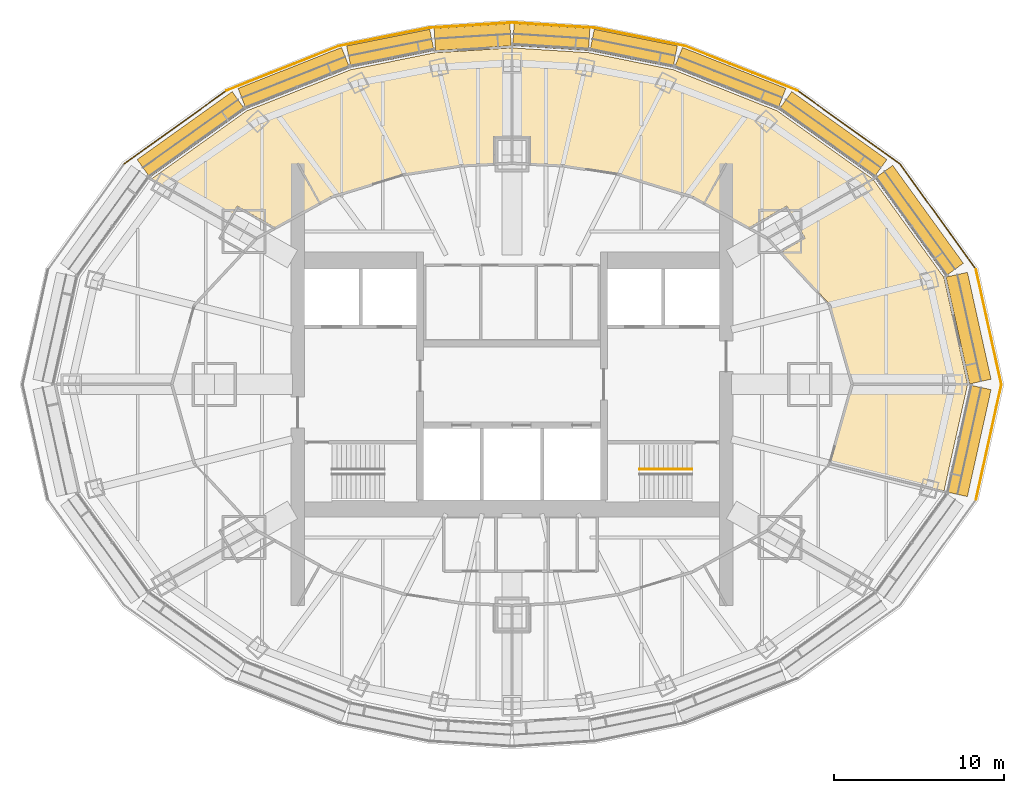
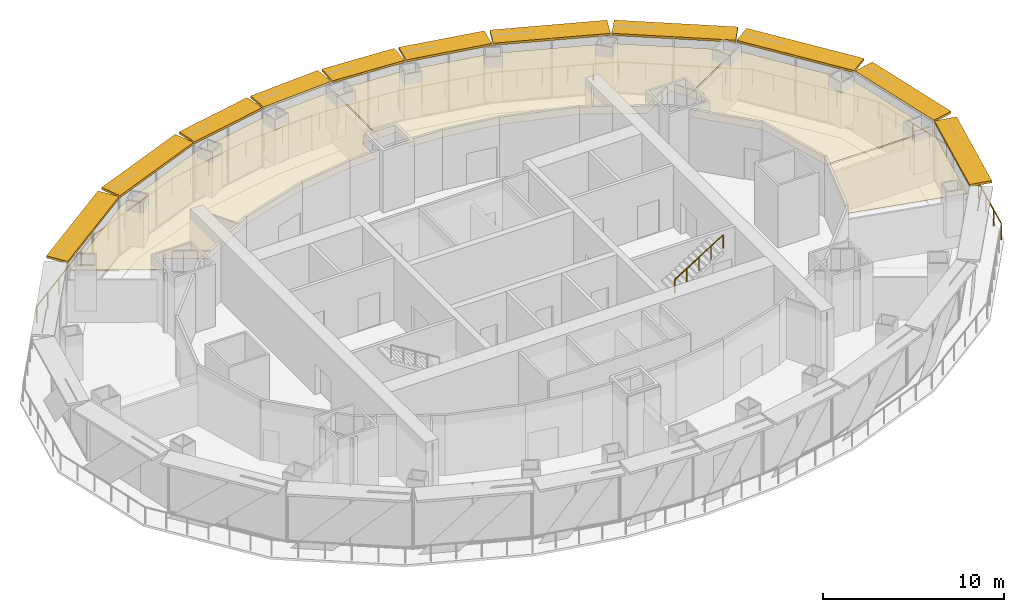
# One storey, part 17 of 17: 12 railings, 11 shading devices, 4 coverings.
"""IFC4 building model written with IfcOpenShell, lengths in metres."""

from ifc_helpers import new_model, si_unit, direction, frame, origin, origin_2d, place, context, subcontext, project, spatial, polyline, rectangle, circle, outline, extrude, material, layer, layer_set, type_object, element, save


model = new_model("IFC4")

# Units and contexts
model_context = context("Model", 3, precision=1e-05, world=origin(), true_north=direction((0.0, 1.0)))
body_context = subcontext(model_context, "Body", "Model", "MODEL_VIEW")
ifc_project = project(units=[si_unit("LENGTHUNIT", "METRE"), si_unit("AREAUNIT", "SQUARE_METRE"), si_unit("VOLUMEUNIT", "CUBIC_METRE"), si_unit("PLANEANGLEUNIT", "RADIAN"), si_unit("MASSUNIT", "GRAM", prefix="KILO")], contexts=[model_context])

# Site, building, storey
site_placement = place(None, origin())
site = spatial("IfcSite", under=ifc_project, at=site_placement, CompositionType="ELEMENT")
building_placement = place(site_placement, origin())
building = spatial("IfcBuilding", under=site, at=building_placement, Name="Lantaw Convention Tower", CompositionType="ELEMENT")
storey_placement = place(building_placement, frame((0.0, 0.0, 199.0)))
storey = spatial("IfcBuildingStorey", under=building, at=storey_placement, Name="L46", CompositionType="ELEMENT", Elevation=199.0)

# Railing
ifc_material_1 = material(Name="Stainless steel", Category="steel")
railing_type_1 = type_object("IfcRailingType", Name="Stair handrail", PredefinedType="HANDRAIL", material=ifc_material_1)
railing_1_placement = place(storey_placement, frame((7.5, -4.97998046875, 2.27490234375)))
element("IfcRailing", 1, at=railing_1_placement, inside=storey, type_object=railing_type_1, Name="Stair handrail S2", PredefinedType="HANDRAIL", context=body_context, shape_type="SweptSolid", body=[
    extrude(circle(Radius=0.02392578125, at=origin_2d()), frame((0.0, 0.0, 0.8759765625), z_axis=(0.847998304005, 0.0, 0.529998940003), x_axis=(0.0, 1.0, 0.0)), (0.0, 0.0, 1.0), 3.632080078125),
    extrude(circle(Radius=0.02099609375, at=origin_2d()), origin(), (0.0, 0.0, 1.0), 0.851806640625),
    extrude(circle(Radius=0.02099609375, at=origin_2d()), frame((0.77001953125, 0.0, 0.481201171875)), (0.0, 0.0, 1.0), 0.851806640625),
    extrude(circle(Radius=0.02099609375, at=origin_2d()), frame((1.5400390625, 0.0, 0.96240234375)), (0.0, 0.0, 1.0), 0.851806640625),
    extrude(circle(Radius=0.02099609375, at=origin_2d()), frame((2.31005859375, 0.0, 1.44384765625)), (0.0, 0.0, 1.0), 0.851806640625),
    extrude(circle(Radius=0.02099609375, at=origin_2d()), frame((3.080078125, 0.0, 1.925048828125)), (0.0, 0.0, 1.0), 0.851806640625),
])

# Coverings
ifc_material_2 = material(Name="Gypsum board on steel suspension grid", Category="steel")
ifc_layer = layer(ifc_material_2, 0.02001953125)
ifc_layer_set = layer_set([ifc_layer], Name="Suspended ceiling")
covering_type = type_object("IfcCoveringType", Name="Suspended ceiling", PredefinedType="CEILING", material=ifc_layer_set)
covering_1_placement = place(storey_placement, frame((0.0, 0.0, 3.449951171875)))
element("IfcCovering", 2, at=covering_1_placement, inside=storey, type_object=covering_type, Name="Open office ceiling", PredefinedType="CEILING", context=body_context, shape_type="SweptSolid", body=[
    extrude(outline(polyline([(18.709228515625, 4.676025390625), (20.0302734375, 0.0400390625), (26.77099609375, 0.0400390625), (25.388916015625, 6.290283203125), (21.241455078125, 12.0380859375), (16.722412109375, 9.4951171875), (17.237060546875, 8.594482421875), (15.81884765625, 7.783935546875), (18.709228515625, 4.676025390625)])), origin(), (0.0, 0.0, 1.0), 0.02001953125),
])
covering_2_placement = place(storey_placement, frame((0.0, 0.0, 3.449951171875)))
element("IfcCovering", 3, at=covering_2_placement, inside=storey, type_object=covering_type, Name="Open office ceiling", PredefinedType="CEILING", context=body_context, shape_type="SweptSolid", body=[
    extrude(outline(polyline([(10.6484375, 11.047607421875), (13.945068359375, 9.22412109375), (16.155517578125, 10.487060546875), (16.682861328125, 9.564453125), (21.178466796875, 12.094482421875), (15.60498046875, 16.076416015625), (9.472900390625, 18.504638671875), (4.523193359375, 19.500244140625), (0.0400390625, 19.781982421875), (0.0400390625, 14.590087890625), (1.090087890625, 14.590087890625), (1.090087890625, 12.9873046875), (2.97216796875, 12.89599609375), (6.296875, 12.3798828125), (10.6484375, 11.047607421875)])), origin(), (0.0, 0.0, 1.0), 0.02001953125),
])
covering_3_placement = place(storey_placement, frame((0.0, 0.0, 3.449951171875)))
element("IfcCovering", 4, at=covering_3_placement, inside=storey, type_object=covering_type, Name="Open office ceiling", PredefinedType="CEILING", context=body_context, shape_type="SweptSolid", body=[
    extrude(outline(polyline([(-2.97216796875, 12.89599609375), (-1.090087890625, 12.9873046875), (-1.090087890625, 14.590087890625), (-0.0400390625, 14.590087890625), (-0.0400390625, 19.781982421875), (-4.523193359375, 19.500244140625), (-9.472900390625, 18.504638671875), (-15.60498046875, 16.076416015625), (-21.178466796875, 12.094482421875), (-16.682861328125, 9.564453125), (-16.155517578125, 10.487060546875), (-13.945068359375, 9.22412109375), (-10.6484375, 11.047607421875), (-6.296875, 12.3798828125), (-2.97216796875, 12.89599609375)])), origin(), (0.0, 0.0, 1.0), 0.02001953125),
])
covering_4_placement = place(storey_placement, frame((0.0, 0.0, 3.449951171875)))
element("IfcCovering", 5, at=covering_4_placement, inside=storey, type_object=covering_type, Name="Meeting room ceiling", PredefinedType="CEILING", context=body_context, shape_type="SweptSolid", body=[
    extrude(outline(polyline([(18.72314453125, -4.626708984375), (25.39599609375, -6.258544921875), (26.77099609375, -0.0400390625), (20.0302734375, -0.0400390625), (18.72314453125, -4.626708984375)])), origin(), (0.0, 0.0, 1.0), 0.02001953125),
])

# Railings
ifc_material_3 = material(Name="Stainless steel posts and laminated glass, pale silver finish", Category="steel")
railing_type_2 = type_object("IfcRailingType", Name="Terrace guard railing 1100", PredefinedType="GUARDRAIL", material=ifc_material_3)
railing_2_placement = place(storey_placement, frame((28.76953125, 0.0, 0.0)))
element("IfcRailing", 6, at=railing_2_placement, inside=storey, type_object=railing_type_2, Name="Terrace guard", PredefinedType="GUARDRAIL", context=body_context, shape_type="SweptSolid", body=[
    extrude(circle(Radius=0.02392578125, at=origin_2d()), frame((0.0, 0.0, 1.076171875), z_axis=(-0.215529841455, 0.976497254191, 0.0), x_axis=(-0.976497254191, -0.215529841455, 0.0)), (0.0, 0.0, 1.0), 6.922119140625),
    extrude(circle(Radius=0.02099609375, at=origin_2d()), origin(), (0.0, 0.0, 1.0), 1.052001953125),
    extrude(circle(Radius=0.02099609375, at=origin_2d()), frame((-0.29833984375, 1.351806640625, 0.0)), (0.0, 0.0, 1.0), 1.052001953125),
    extrude(circle(Radius=0.02099609375, at=origin_2d()), frame((-0.5966796875, 2.703857421875, 0.0)), (0.0, 0.0, 1.0), 1.052001953125),
    extrude(circle(Radius=0.02099609375, at=origin_2d()), frame((-0.895263671875, 4.0556640625, 0.0)), (0.0, 0.0, 1.0), 1.052001953125),
    extrude(circle(Radius=0.02099609375, at=origin_2d()), frame((-1.193603515625, 5.40771484375, 0.0)), (0.0, 0.0, 1.0), 1.052001953125),
    extrude(circle(Radius=0.02099609375, at=origin_2d()), frame((-1.491943359375, 6.759521484375, 0.0)), (0.0, 0.0, 1.0), 1.052001953125),
])
railing_3_placement = place(storey_placement, frame((27.277587890625, 6.759521484375, 0.0)))
element("IfcRailing", 7, at=railing_3_placement, inside=storey, type_object=railing_type_2, Name="Terrace guard", PredefinedType="GUARDRAIL", context=body_context, shape_type="SweptSolid", body=[
    extrude(circle(Radius=0.02392578125, at=origin_2d()), frame((0.0, 0.0, 1.076171875), z_axis=(-0.584522554837, 0.81137746018, 0.0), x_axis=(-0.81137746018, -0.584522554837, 0.0)), (0.0, 0.0, 1.0), 7.646484375),
    extrude(circle(Radius=0.02099609375, at=origin_2d()), origin(), (0.0, 0.0, 1.0), 1.052001953125),
    extrude(circle(Radius=0.02099609375, at=origin_2d()), frame((-0.744873046875, 1.033935546875, 0.0)), (0.0, 0.0, 1.0), 1.052001953125),
    extrude(circle(Radius=0.02099609375, at=origin_2d()), frame((-1.48974609375, 2.068115234375, 0.0)), (0.0, 0.0, 1.0), 1.052001953125),
    extrude(circle(Radius=0.02099609375, at=origin_2d()), frame((-2.23486328125, 3.10205078125, 0.0)), (0.0, 0.0, 1.0), 1.052001953125),
    extrude(circle(Radius=0.02099609375, at=origin_2d()), frame((-2.979736328125, 4.135986328125, 0.0)), (0.0, 0.0, 1.0), 1.052001953125),
    extrude(circle(Radius=0.02099609375, at=origin_2d()), frame((-3.724609375, 5.170166015625, 0.0)), (0.0, 0.0, 1.0), 1.052001953125),
    extrude(circle(Radius=0.02099609375, at=origin_2d()), frame((-4.469482421875, 6.2041015625, 0.0)), (0.0, 0.0, 1.0), 1.052001953125),
])
railing_4_placement = place(storey_placement, frame((22.80810546875, 12.963623046875, 0.0)))
element("IfcRailing", 8, at=railing_4_placement, inside=storey, type_object=railing_type_2, Name="Terrace guard", PredefinedType="GUARDRAIL", context=body_context, shape_type="SweptSolid", body=[
    extrude(circle(Radius=0.02392578125, at=origin_2d()), frame((0.0, 0.0, 1.076171875), z_axis=(-0.813210772407, 0.581969277231, 0.0), x_axis=(-0.581969277231, -0.813210772407, 0.0)), (0.0, 0.0, 1.0), 7.421142578125),
    extrude(circle(Radius=0.02099609375, at=origin_2d()), origin(), (0.0, 0.0, 1.0), 1.052001953125),
    extrude(circle(Radius=0.02099609375, at=origin_2d()), frame((-1.20703125, 0.86376953125, 0.0)), (0.0, 0.0, 1.0), 1.052001953125),
    extrude(circle(Radius=0.02099609375, at=origin_2d()), frame((-2.4140625, 1.7275390625, 0.0)), (0.0, 0.0, 1.0), 1.052001953125),
    extrude(circle(Radius=0.02099609375, at=origin_2d()), frame((-3.620849609375, 2.59130859375, 0.0)), (0.0, 0.0, 1.0), 1.052001953125),
    extrude(circle(Radius=0.02099609375, at=origin_2d()), frame((-4.827880859375, 3.455078125, 0.0)), (0.0, 0.0, 1.0), 1.052001953125),
    extrude(circle(Radius=0.02099609375, at=origin_2d()), frame((-6.034912109375, 4.31884765625, 0.0)), (0.0, 0.0, 1.0), 1.052001953125),
])
railing_5_placement = place(storey_placement, frame((16.773193359375, 17.282470703125, 0.0)))
element("IfcRailing", 9, at=railing_5_placement, inside=storey, type_object=railing_type_2, Name="Terrace guard", PredefinedType="GUARDRAIL", context=body_context, shape_type="SweptSolid", body=[
    extrude(circle(Radius=0.02392578125, at=origin_2d()), frame((0.0, 0.0, 1.076171875), z_axis=(-0.929541680423, 0.368717051893, 0.0), x_axis=(-0.368717051893, -0.929541680423, 0.0)), (0.0, 0.0, 1.0), 7.0888671875),
    extrude(circle(Radius=0.02099609375, at=origin_2d()), origin(), (0.0, 0.0, 1.0), 1.052001953125),
    extrude(circle(Radius=0.02099609375, at=origin_2d()), frame((-1.31787109375, 0.522705078125, 0.0)), (0.0, 0.0, 1.0), 1.052001953125),
    extrude(circle(Radius=0.02099609375, at=origin_2d()), frame((-2.6357421875, 1.04541015625, 0.0)), (0.0, 0.0, 1.0), 1.052001953125),
    extrude(circle(Radius=0.02099609375, at=origin_2d()), frame((-3.95361328125, 1.568359375, 0.0)), (0.0, 0.0, 1.0), 1.052001953125),
    extrude(circle(Radius=0.02099609375, at=origin_2d()), frame((-5.271484375, 2.091064453125, 0.0)), (0.0, 0.0, 1.0), 1.052001953125),
    extrude(circle(Radius=0.02099609375, at=origin_2d()), frame((-6.58935546875, 2.61376953125, 0.0)), (0.0, 0.0, 1.0), 1.052001953125),
])
railing_6_placement = place(storey_placement, frame((10.183837890625, 19.896240234375, 0.0)))
element("IfcRailing", 10, at=railing_6_placement, inside=storey, type_object=railing_type_2, Name="Terrace guard", PredefinedType="GUARDRAIL", context=body_context, shape_type="SweptSolid", body=[
    extrude(circle(Radius=0.02392578125, at=origin_2d()), frame((0.0, 0.0, 1.076171875), z_axis=(-0.980301154736, 0.197508597341, 0.0), x_axis=(-0.197508597341, -0.980301154736, 0.0)), (0.0, 0.0, 1.0), 5.427734375),
    extrude(circle(Radius=0.02099609375, at=origin_2d()), origin(), (0.0, 0.0, 1.0), 1.052001953125),
    extrude(circle(Radius=0.02099609375, at=origin_2d()), frame((-1.330078125, 0.26806640625, 0.0)), (0.0, 0.0, 1.0), 1.052001953125),
    extrude(circle(Radius=0.02099609375, at=origin_2d()), frame((-2.660400390625, 0.5361328125, 0.0)), (0.0, 0.0, 1.0), 1.052001953125),
    extrude(circle(Radius=0.02099609375, at=origin_2d()), frame((-3.99072265625, 0.803955078125, 0.0)), (0.0, 0.0, 1.0), 1.052001953125),
    extrude(circle(Radius=0.02099609375, at=origin_2d()), frame((-5.32080078125, 1.072021484375, 0.0)), (0.0, 0.0, 1.0), 1.052001953125),
])
railing_7_placement = place(storey_placement, frame((4.863037109375, 20.96826171875, 0.0)))
element("IfcRailing", 11, at=railing_7_placement, inside=storey, type_object=railing_type_2, Name="Terrace guard", PredefinedType="GUARDRAIL", context=body_context, shape_type="SweptSolid", body=[
    extrude(circle(Radius=0.02392578125, at=origin_2d()), frame((0.0, 0.0, 1.076171875), z_axis=(-0.998021064037, 0.062880487744, 0.0), x_axis=(-0.062880487744, -0.998021064037, 0.0)), (0.0, 0.0, 1.0), 4.87255859375),
    extrude(circle(Radius=0.02099609375, at=origin_2d()), origin(), (0.0, 0.0, 1.0), 1.052001953125),
    extrude(circle(Radius=0.02099609375, at=origin_2d()), frame((-1.2158203125, 0.07666015625, 0.0)), (0.0, 0.0, 1.0), 1.052001953125),
    extrude(circle(Radius=0.02099609375, at=origin_2d()), frame((-2.431640625, 0.1533203125, 0.0)), (0.0, 0.0, 1.0), 1.052001953125),
    extrude(circle(Radius=0.02099609375, at=origin_2d()), frame((-3.647216796875, 0.229736328125, 0.0)), (0.0, 0.0, 1.0), 1.052001953125),
    extrude(circle(Radius=0.02099609375, at=origin_2d()), frame((-4.863037109375, 0.306396484375, 0.0)), (0.0, 0.0, 1.0), 1.052001953125),
])
railing_8_placement = place(storey_placement, frame((0.0, 21.274658203125, 0.0)))
element("IfcRailing", 12, at=railing_8_placement, inside=storey, type_object=railing_type_2, Name="Terrace guard", PredefinedType="GUARDRAIL", context=body_context, shape_type="SweptSolid", body=[
    extrude(circle(Radius=0.02392578125, at=origin_2d()), frame((0.0, 0.0, 1.076171875), z_axis=(-0.998021064037, -0.062880487744, 0.0), x_axis=(0.062880487744, -0.998021064037, 0.0)), (0.0, 0.0, 1.0), 4.87255859375),
    extrude(circle(Radius=0.02099609375, at=origin_2d()), origin(), (0.0, 0.0, 1.0), 1.052001953125),
    extrude(circle(Radius=0.02099609375, at=origin_2d()), frame((-1.2158203125, -0.07666015625, 0.0)), (0.0, 0.0, 1.0), 1.052001953125),
    extrude(circle(Radius=0.02099609375, at=origin_2d()), frame((-2.431640625, -0.1533203125, 0.0)), (0.0, 0.0, 1.0), 1.052001953125),
    extrude(circle(Radius=0.02099609375, at=origin_2d()), frame((-3.647216796875, -0.229736328125, 0.0)), (0.0, 0.0, 1.0), 1.052001953125),
    extrude(circle(Radius=0.02099609375, at=origin_2d()), frame((-4.863037109375, -0.306396484375, 0.0)), (0.0, 0.0, 1.0), 1.052001953125),
])
railing_9_placement = place(storey_placement, frame((-4.863037109375, 20.96826171875, 0.0)))
element("IfcRailing", 13, at=railing_9_placement, inside=storey, type_object=railing_type_2, Name="Terrace guard", PredefinedType="GUARDRAIL", context=body_context, shape_type="SweptSolid", body=[
    extrude(circle(Radius=0.02392578125, at=origin_2d()), frame((0.0, 0.0, 1.076171875), z_axis=(-0.980301154736, -0.197508597341, 0.0), x_axis=(0.197508597341, -0.980301154736, 0.0)), (0.0, 0.0, 1.0), 5.427734375),
    extrude(circle(Radius=0.02099609375, at=origin_2d()), origin(), (0.0, 0.0, 1.0), 1.052001953125),
    extrude(circle(Radius=0.02099609375, at=origin_2d()), frame((-1.330078125, -0.26806640625, 0.0)), (0.0, 0.0, 1.0), 1.052001953125),
    extrude(circle(Radius=0.02099609375, at=origin_2d()), frame((-2.660400390625, -0.5361328125, 0.0)), (0.0, 0.0, 1.0), 1.052001953125),
    extrude(circle(Radius=0.02099609375, at=origin_2d()), frame((-3.99072265625, -0.803955078125, 0.0)), (0.0, 0.0, 1.0), 1.052001953125),
    extrude(circle(Radius=0.02099609375, at=origin_2d()), frame((-5.32080078125, -1.072021484375, 0.0)), (0.0, 0.0, 1.0), 1.052001953125),
])
railing_10_placement = place(storey_placement, frame((-10.183837890625, 19.896240234375, 0.0)))
element("IfcRailing", 14, at=railing_10_placement, inside=storey, type_object=railing_type_2, Name="Terrace guard", PredefinedType="GUARDRAIL", context=body_context, shape_type="SweptSolid", body=[
    extrude(circle(Radius=0.02392578125, at=origin_2d()), frame((0.0, 0.0, 1.076171875), z_axis=(-0.929541680423, -0.368717051893, 0.0), x_axis=(0.368717051893, -0.929541680423, 0.0)), (0.0, 0.0, 1.0), 7.0888671875),
    extrude(circle(Radius=0.02099609375, at=origin_2d()), origin(), (0.0, 0.0, 1.0), 1.052001953125),
    extrude(circle(Radius=0.02099609375, at=origin_2d()), frame((-1.31787109375, -0.522705078125, 0.0)), (0.0, 0.0, 1.0), 1.052001953125),
    extrude(circle(Radius=0.02099609375, at=origin_2d()), frame((-2.6357421875, -1.04541015625, 0.0)), (0.0, 0.0, 1.0), 1.052001953125),
    extrude(circle(Radius=0.02099609375, at=origin_2d()), frame((-3.95361328125, -1.568359375, 0.0)), (0.0, 0.0, 1.0), 1.052001953125),
    extrude(circle(Radius=0.02099609375, at=origin_2d()), frame((-5.271484375, -2.091064453125, 0.0)), (0.0, 0.0, 1.0), 1.052001953125),
    extrude(circle(Radius=0.02099609375, at=origin_2d()), frame((-6.58935546875, -2.61376953125, 0.0)), (0.0, 0.0, 1.0), 1.052001953125),
])
railing_11_placement = place(storey_placement, frame((-16.773193359375, 17.282470703125, 0.0)))
element("IfcRailing", 15, at=railing_11_placement, inside=storey, type_object=railing_type_2, Name="Terrace guard", PredefinedType="GUARDRAIL", context=body_context, shape_type="SweptSolid", body=[
    extrude(circle(Radius=0.02392578125, at=origin_2d()), frame((0.0, 0.0, 1.076171875), z_axis=(-0.813210772407, -0.581969277231, 0.0), x_axis=(0.581969277231, -0.813210772407, 0.0)), (0.0, 0.0, 1.0), 7.421142578125),
    extrude(circle(Radius=0.02099609375, at=origin_2d()), origin(), (0.0, 0.0, 1.0), 1.052001953125),
    extrude(circle(Radius=0.02099609375, at=origin_2d()), frame((-1.20703125, -0.86376953125, 0.0)), (0.0, 0.0, 1.0), 1.052001953125),
    extrude(circle(Radius=0.02099609375, at=origin_2d()), frame((-2.4140625, -1.7275390625, 0.0)), (0.0, 0.0, 1.0), 1.052001953125),
    extrude(circle(Radius=0.02099609375, at=origin_2d()), frame((-3.620849609375, -2.59130859375, 0.0)), (0.0, 0.0, 1.0), 1.052001953125),
    extrude(circle(Radius=0.02099609375, at=origin_2d()), frame((-4.827880859375, -3.455078125, 0.0)), (0.0, 0.0, 1.0), 1.052001953125),
    extrude(circle(Radius=0.02099609375, at=origin_2d()), frame((-6.034912109375, -4.31884765625, 0.0)), (0.0, 0.0, 1.0), 1.052001953125),
])
railing_12_placement = place(storey_placement, frame((27.277587890625, -6.759521484375, 0.0)))
element("IfcRailing", 16, at=railing_12_placement, inside=storey, type_object=railing_type_2, Name="Terrace guard", PredefinedType="GUARDRAIL", context=body_context, shape_type="SweptSolid", body=[
    extrude(circle(Radius=0.02392578125, at=origin_2d()), frame((0.0, 0.0, 1.076171875), z_axis=(0.215529841455, 0.976497254191, 0.0), x_axis=(-0.976497254191, 0.215529841455, 0.0)), (0.0, 0.0, 1.0), 6.922119140625),
    extrude(circle(Radius=0.02099609375, at=origin_2d()), origin(), (0.0, 0.0, 1.0), 1.052001953125),
    extrude(circle(Radius=0.02099609375, at=origin_2d()), frame((0.29833984375, 1.351806640625, 0.0)), (0.0, 0.0, 1.0), 1.052001953125),
    extrude(circle(Radius=0.02099609375, at=origin_2d()), frame((0.5966796875, 2.703857421875, 0.0)), (0.0, 0.0, 1.0), 1.052001953125),
    extrude(circle(Radius=0.02099609375, at=origin_2d()), frame((0.895263671875, 4.0556640625, 0.0)), (0.0, 0.0, 1.0), 1.052001953125),
    extrude(circle(Radius=0.02099609375, at=origin_2d()), frame((1.193603515625, 5.40771484375, 0.0)), (0.0, 0.0, 1.0), 1.052001953125),
    extrude(circle(Radius=0.02099609375, at=origin_2d()), frame((1.491943359375, 6.759521484375, 0.0)), (0.0, 0.0, 1.0), 1.052001953125),
])

# Shading devices
shading_device_1_placement = place(storey_placement, frame((26.839111328125, 3.310546875, 3.905029296875), z_axis=(0.0, 0.0, 1.0), x_axis=(-0.215891333626, 0.976417396437, 0.0)))
element("IfcShadingDevice", 17, at=shading_device_1_placement, inside=storey, Name="SUNSHADE blade", ObjectType="SUNSHADE", PredefinedType="USERDEFINED", context=body_context, shape_type="SweptSolid", body=[
    extrude(rectangle(XDim=6.434326171875, YDim=1.284912109375, at=origin_2d()), origin(), (0.0, 0.0, 1.0), 0.14990234375),
])
shading_device_2_placement = place(storey_placement, frame((23.935791015625, 9.624267578125, 3.905029296875), z_axis=(0.0, 0.0, 1.0), x_axis=(-0.585157643865, 0.810919559405, 0.0)))
element("IfcShadingDevice", 18, at=shading_device_2_placement, inside=storey, Name="SUNSHADE blade", ObjectType="SUNSHADE", PredefinedType="USERDEFINED", context=body_context, shape_type="SweptSolid", body=[
    extrude(rectangle(XDim=7.0966796875, YDim=1.284912109375, at=origin_2d()), origin(), (0.0, 0.0, 1.0), 0.14990234375),
])
shading_device_3_placement = place(storey_placement, frame((18.867431640625, 14.695068359375, 3.905029296875), z_axis=(0.0, 0.0, 1.0), x_axis=(-0.813672540482, 0.581323487281, 0.0)))
element("IfcShadingDevice", 19, at=shading_device_3_placement, inside=storey, Name="SUNSHADE blade", ObjectType="SUNSHADE", PredefinedType="USERDEFINED", context=body_context, shape_type="SweptSolid", body=[
    extrude(rectangle(XDim=6.867919921875, YDim=1.284912109375, at=origin_2d()), origin(), (0.0, 0.0, 1.0), 0.14990234375),
])
shading_device_4_placement = place(storey_placement, frame((12.82666015625, 18.007568359375, 3.905029296875), z_axis=(0.0, 0.0, 1.0), x_axis=(-0.929761533743, 0.368162315252, 0.0)))
element("IfcShadingDevice", 20, at=shading_device_4_placement, inside=storey, Name="SUNSHADE blade", ObjectType="SUNSHADE", PredefinedType="USERDEFINED", context=body_context, shape_type="SweptSolid", body=[
    extrude(rectangle(XDim=6.541015625, YDim=1.284912109375, at=origin_2d()), origin(), (0.0, 0.0, 1.0), 0.14990234375),
])
shading_device_5_placement = place(storey_placement, frame((7.152587890625, 19.75927734375, 3.905029296875), z_axis=(0.0, 0.0, 1.0), x_axis=(-0.980366679695, 0.197183095987, 0.0)))
element("IfcShadingDevice", 21, at=shading_device_5_placement, inside=storey, Name="SUNSHADE blade", ObjectType="SUNSHADE", PredefinedType="USERDEFINED", context=body_context, shape_type="SweptSolid", body=[
    extrude(rectangle(XDim=4.982421875, YDim=1.284912109375, at=origin_2d()), origin(), (0.0, 0.0, 1.0), 0.14990234375),
])
for number, where, z_axis, x_axis, name in (
    (22, (2.310546875, 20.413330078125, 3.905029296875), (0.0, 0.0, 1.0), (-0.998028774865, 0.062757983884, 0.0), "SUNSHADE blade"),
    (23, (-2.310546875, 20.413330078125, 3.905029296875), (0.0, 0.0, 1.0), (-0.998028774865, -0.062757983884, 0.0), "SUNSHADE blade"),
):
    element("IfcShadingDevice", number, at=place(storey_placement, frame(where, z_axis=z_axis, x_axis=x_axis)), inside=storey, Name=name, ObjectType="SUNSHADE", PredefinedType="USERDEFINED", context=body_context, shape_type="SweptSolid", body=[
        extrude(rectangle(XDim=4.460205078125, YDim=1.284912109375, at=origin_2d()), origin(), (0.0, 0.0, 1.0), 0.14990234375),
    ])
shading_device_6_placement = place(storey_placement, frame((-7.152587890625, 19.75927734375, 3.905029296875), z_axis=(0.0, 0.0, 1.0), x_axis=(-0.980366679695, -0.197183095987, 0.0)))
element("IfcShadingDevice", 24, at=shading_device_6_placement, inside=storey, Name="SUNSHADE blade", ObjectType="SUNSHADE", PredefinedType="USERDEFINED", context=body_context, shape_type="SweptSolid", body=[
    extrude(rectangle(XDim=4.982421875, YDim=1.284912109375, at=origin_2d()), origin(), (0.0, 0.0, 1.0), 0.14990234375),
])
shading_device_7_placement = place(storey_placement, frame((-12.82666015625, 18.007568359375, 3.905029296875), z_axis=(0.0, 0.0, 1.0), x_axis=(-0.929761533743, -0.368162315252, 0.0)))
element("IfcShadingDevice", 25, at=shading_device_7_placement, inside=storey, Name="SUNSHADE blade", ObjectType="SUNSHADE", PredefinedType="USERDEFINED", context=body_context, shape_type="SweptSolid", body=[
    extrude(rectangle(XDim=6.541015625, YDim=1.284912109375, at=origin_2d()), origin(), (0.0, 0.0, 1.0), 0.14990234375),
])
shading_device_8_placement = place(storey_placement, frame((-18.867431640625, 14.695068359375, 3.905029296875), z_axis=(0.0, 0.0, 1.0), x_axis=(-0.813672540482, -0.581323487281, 0.0)))
element("IfcShadingDevice", 26, at=shading_device_8_placement, inside=storey, Name="SUNSHADE blade", ObjectType="SUNSHADE", PredefinedType="USERDEFINED", context=body_context, shape_type="SweptSolid", body=[
    extrude(rectangle(XDim=6.867919921875, YDim=1.284912109375, at=origin_2d()), origin(), (0.0, 0.0, 1.0), 0.14990234375),
])
shading_device_9_placement = place(storey_placement, frame((26.839111328125, -3.310546875, 3.905029296875), z_axis=(0.0, 0.0, 1.0), x_axis=(0.215891333626, 0.976417396437, 0.0)))
element("IfcShadingDevice", 27, at=shading_device_9_placement, inside=storey, Name="SUNSHADE blade", ObjectType="SUNSHADE", PredefinedType="USERDEFINED", context=body_context, shape_type="SweptSolid", body=[
    extrude(rectangle(XDim=6.434326171875, YDim=1.284912109375, at=origin_2d()), origin(), (0.0, 0.0, 1.0), 0.14990234375),
])

save(model, "model.ifc")
